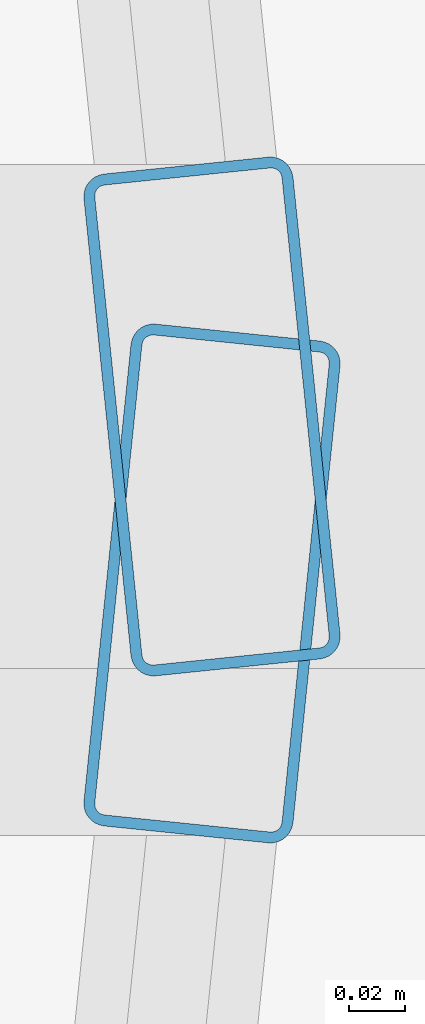
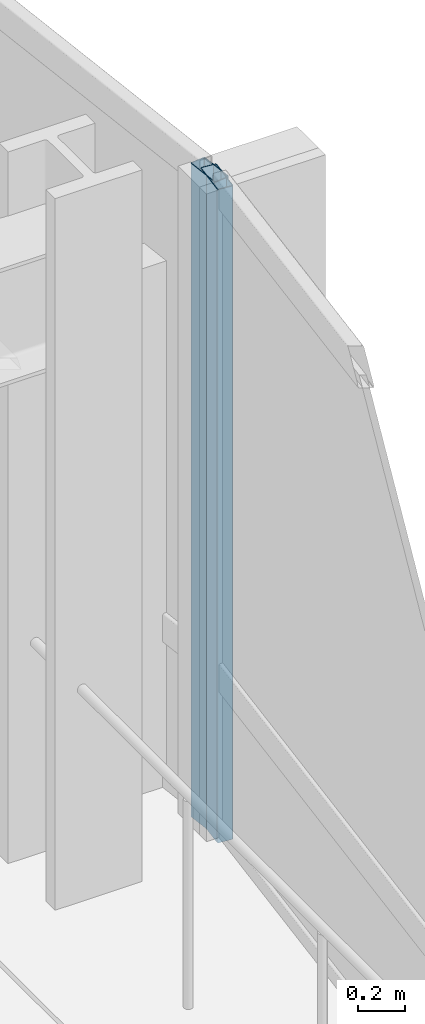
# One storey, part 26 of 35: 2 members, 2 elements without a shape of their own.
"""IFC4 building model written with IfcOpenShell, lengths in metres."""

from ifc_helpers import new_model, si_unit, direction, frame, origin, origin_2d, place, context, subcontext, project, spatial, hollow_rectangle, extrude, material, layer, layer_set, material_profile, profile_set, type_object, element, aggregate, save


model = new_model("IFC4")

# Units and contexts
model_context = context("Model", 3, precision=1e-05, world=origin(), true_north=direction((0.0, 1.0)))
body_context = subcontext(model_context, "Body", "Model", "MODEL_VIEW")
ifc_project = project(units=[si_unit("LENGTHUNIT", "METRE"), si_unit("AREAUNIT", "SQUARE_METRE"), si_unit("VOLUMEUNIT", "CUBIC_METRE"), si_unit("PLANEANGLEUNIT", "RADIAN"), si_unit("MASSUNIT", "GRAM", prefix="KILO")], contexts=[model_context])

# Site, building, storey
site_placement = place(None, origin())
site = spatial("IfcSite", under=ifc_project, at=site_placement, CompositionType="ELEMENT")
building_placement = place(site_placement, origin())
building = spatial("IfcBuilding", under=site, at=building_placement, Name="Solvaryn Broadcast Tower", CompositionType="ELEMENT")
storey_placement = place(building_placement, frame((0.0, 0.0, 80.39990234375)))
storey = spatial("IfcBuildingStorey", under=building, at=storey_placement, Name="L19", CompositionType="ELEMENT", Elevation=80.39990234375)

# Curtain wall, member
ifc_material_1 = material(Name="Aluminium and Terracotta Unitised Curtain Wall", Category="masonry")
ifc_layer = layer(ifc_material_1, 0.199951171875)
ifc_layer_set = layer_set([ifc_layer], Name="CW-SYS2-LOWMID")
curtain_wall_type = type_object("IfcCurtainWallType", Name="CW-SYS2-LOWMID", PredefinedType="NOTDEFINED", material=ifc_layer_set)
curtain_wall_1_placement = place(storey_placement, origin())
curtain_wall_1 = element("IfcCurtainWall", 1, at=curtain_wall_1_placement, inside=storey, type_object=curtain_wall_type, Name="L19 Curtain Wall ET1", PredefinedType="NOTDEFINED")
ifc_material_2 = material(Name="Anodised Aluminium 6063-T6", Category="aluminium")
ifc_material_profile = material_profile(ifc_material_2, hollow_rectangle(XDim=0.074951171875, YDim=0.179931640625, WallThickness=0.00390625, InnerFilletRadius=0.00390625, OuterFilletRadius=0.008056640625, at=origin_2d()))
ifc_profile_set = profile_set([ifc_material_profile], Name="Anodised Aluminium 6063-T6")
member_type = type_object("IfcMemberType", Name="CW-MUL-180", PredefinedType="MULLION", material=ifc_profile_set)
member_1_placement = place(storey_placement, frame((63.697021484375, 18.02978515625, 0.0), z_axis=(0.0, 0.0, 1.0), x_axis=(0.99474329889, 0.10240004548, 0.0)))
member_1 = element("IfcMember", 2, at=member_1_placement, type_object=member_type, Name="CWS2 mullion 2", PredefinedType="MULLION", context=body_context, shape_type="SweptSolid", body=[
    extrude(hollow_rectangle(XDim=0.074951171875, YDim=0.179931640625, WallThickness=0.00390625, InnerFilletRadius=0.00390625, OuterFilletRadius=0.008056640625, at=origin_2d()), origin(), (0.0, 0.0, 1.0), 3.3701171875),
])
aggregate(curtain_wall_1, [member_1])

curtain_wall_2_placement = place(storey_placement, origin())
curtain_wall_2 = element("IfcCurtainWall", 3, at=curtain_wall_2_placement, inside=storey, type_object=curtain_wall_type, Name="L19 Curtain Wall ET2", PredefinedType="NOTDEFINED")
member_2_placement = place(storey_placement, frame((63.697021484375, 17.97021484375, 0.0), z_axis=(0.0, 0.0, 1.0), x_axis=(0.99474329889, -0.10240004548, 0.0)))
member_2 = element("IfcMember", 4, at=member_2_placement, type_object=member_type, Name="CWS2 mullion 1", PredefinedType="MULLION", context=body_context, shape_type="SweptSolid", body=[
    extrude(hollow_rectangle(XDim=0.074951171875, YDim=0.179931640625, WallThickness=0.00390625, InnerFilletRadius=0.00390625, OuterFilletRadius=0.008056640625, at=origin_2d()), origin(), (0.0, 0.0, 1.0), 3.3701171875),
])
aggregate(curtain_wall_2, [member_2])

save(model, "model.ifc")
